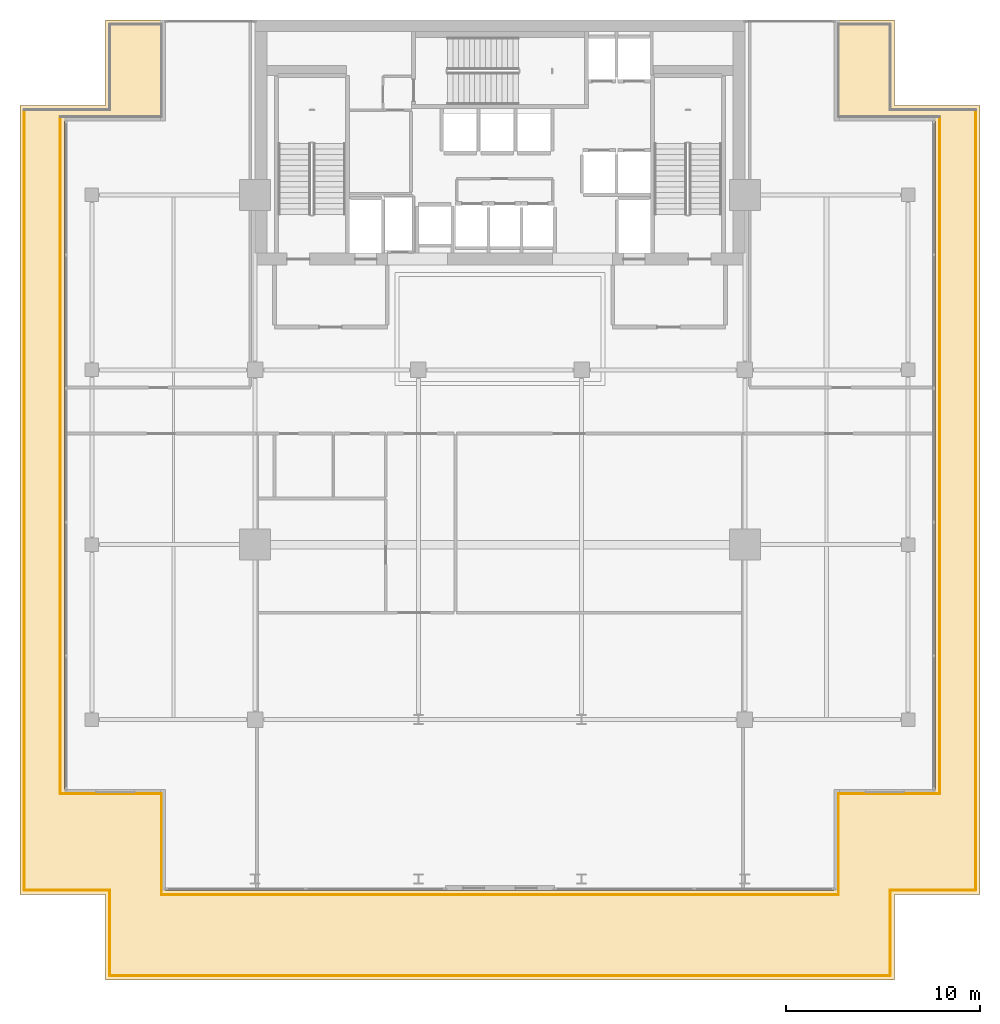
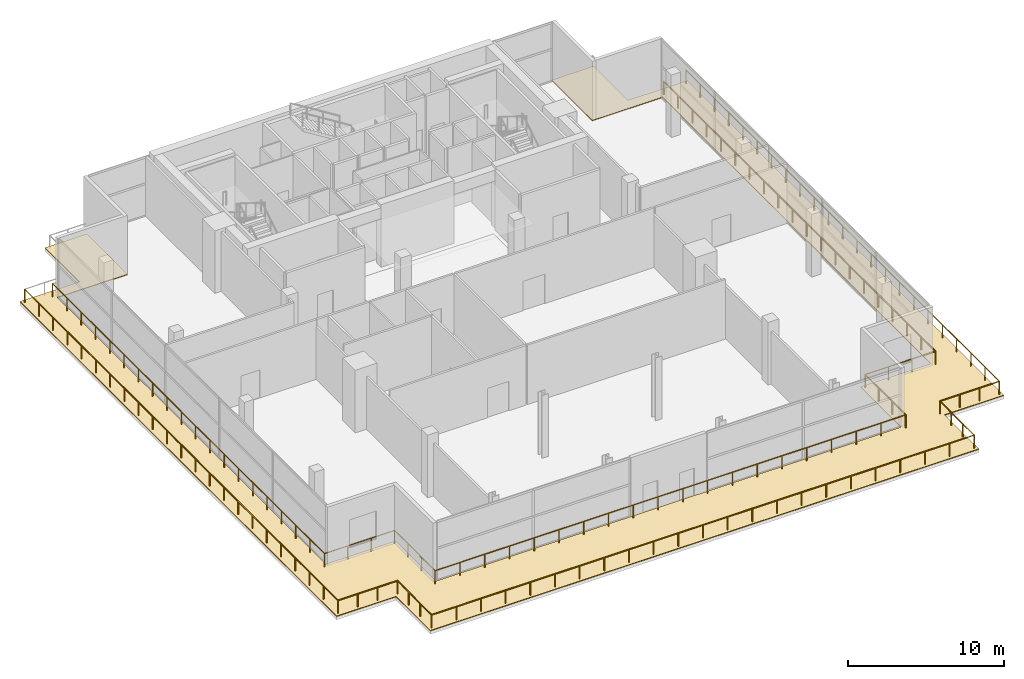
# One storey, part 25 of 28: 14 railings, 1 covering.
"""IFC4 building model written with IfcOpenShell, lengths in metres."""

from ifc_helpers import new_model, si_unit, direction, frame, origin, origin_2d, place, context, subcontext, project, spatial, polyline, circle, outline, extrude, material, layer, layer_set, type_object, element, save


model = new_model("IFC4")

# Units and contexts
model_context = context("Model", 3, precision=1e-05, world=origin(), true_north=direction((0.0, 1.0)))
body_context = subcontext(model_context, "Body", "Model", "MODEL_VIEW")
ifc_project = project(units=[si_unit("LENGTHUNIT", "METRE"), si_unit("AREAUNIT", "SQUARE_METRE"), si_unit("VOLUMEUNIT", "CUBIC_METRE"), si_unit("PLANEANGLEUNIT", "RADIAN"), si_unit("MASSUNIT", "GRAM", prefix="KILO")], contexts=[model_context])

# Site, building, storey
site_placement = place(None, origin())
site = spatial("IfcSite", under=ifc_project, at=site_placement, CompositionType="ELEMENT")
building_placement = place(site_placement, origin())
building = spatial("IfcBuilding", under=site, at=building_placement, Name="Maruvema Waterfront Hotel and Observation Tower", CompositionType="ELEMENT")
storey_placement = place(building_placement, frame((0.0, 0.0, 234.5)))
storey = spatial("IfcBuildingStorey", under=building, at=storey_placement, Name="L57", CompositionType="ELEMENT", Elevation=234.5)

# Covering
ifc_material_1 = material(Name="SBS modified bitumen waterproofing with granite ballast", Category="masonry")
ifc_layer = layer(ifc_material_1, 0.090087890625, Name="Elastomeric Waterproof Roof Membrane and Granite Ballast 90 mm")
ifc_layer_set = layer_set([ifc_layer], Name="SBS modified bitumen waterproofing with granite ballast")
covering_type = type_object("IfcCoveringType", Name="Elastomeric Waterproof Roof Membrane and Granite Ballast 90 mm", PredefinedType="ROOFING", material=ifc_layer_set)
covering_placement = place(storey_placement, origin())
element("IfcCovering", 1, at=covering_placement, inside=storey, type_object=covering_type, Name="L57 Setback Terrace Waterproofing and Pavers 1", PredefinedType="ROOFING", context=body_context, shape_type="SweptSolid", body=[
    extrude(outline(polyline([(58.10009765625, 54.0), (58.10009765625, 49.60009765625), (62.5, 49.60009765625), (62.5, 9.0), (58.10009765625, 9.0), (58.10009765625, 4.60009765625), (17.5, 4.60009765625), (17.5, 9.0), (13.10009765625, 9.0), (13.10009765625, 49.60009765625), (17.5, 49.60009765625), (17.5, 54.0), (20.60009765625, 54.0), (20.60009765625, 48.800048828125), (15.39990234375, 48.800048828125), (15.39990234375, 14.39990234375), (20.60009765625, 14.39990234375), (20.60009765625, 9.199951171875), (55.0, 9.199951171875), (55.0, 14.39990234375), (60.199951171875, 14.39990234375), (60.199951171875, 48.800048828125), (55.0, 48.800048828125), (55.0, 54.0), (58.10009765625, 54.0)])), origin(), (0.0, 0.0, 1.0), 0.06005859375),
])

# Railings
ifc_material_2 = material(Name="Brushed stainless steel Grade 316", Category="steel")
railing_type = type_object("IfcRailingType", Name="Ramp and Terrace Guard Balustrade 1100 mm", PredefinedType="BALUSTRADE", material=ifc_material_2)
railing_1_placement = place(storey_placement, frame((62.280029296875, 49.3798828125, 0.0)))
element("IfcRailing", 2, at=railing_1_placement, inside=storey, type_object=railing_type, Name="L57 Perimeter Safety Balustrade 3", PredefinedType="BALUSTRADE", context=body_context, shape_type="SweptSolid", body=[
    extrude(circle(Radius=0.02392578125, at=origin_2d()), frame((0.0, 0.0, 1.076171875), z_axis=(0.0, -1.0, 0.0), x_axis=(1.0, 0.0, 0.0)), (0.0, 0.0, 1.0), 40.159912109375),
    extrude(circle(Radius=0.02099609375, at=origin_2d()), origin(), (0.0, 0.0, 1.0), 1.052001953125),
    extrude(circle(Radius=0.02099609375, at=origin_2d()), frame((0.0, -1.825439453125, 0.0)), (0.0, 0.0, 1.0), 1.052001953125),
    extrude(circle(Radius=0.02099609375, at=origin_2d()), frame((0.0, -3.65087890625, 0.0)), (0.0, 0.0, 1.0), 1.052001953125),
    extrude(circle(Radius=0.02099609375, at=origin_2d()), frame((0.0, -5.476318359375, 0.0)), (0.0, 0.0, 1.0), 1.052001953125),
    extrude(circle(Radius=0.02099609375, at=origin_2d()), frame((0.0, -7.3017578125, 0.0)), (0.0, 0.0, 1.0), 1.052001953125),
    extrude(circle(Radius=0.02099609375, at=origin_2d()), frame((0.0, -9.127197265625, 0.0)), (0.0, 0.0, 1.0), 1.052001953125),
    extrude(circle(Radius=0.02099609375, at=origin_2d()), frame((0.0, -10.95263671875, 0.0)), (0.0, 0.0, 1.0), 1.052001953125),
    extrude(circle(Radius=0.02099609375, at=origin_2d()), frame((0.0, -12.778076171875, 0.0)), (0.0, 0.0, 1.0), 1.052001953125),
    extrude(circle(Radius=0.02099609375, at=origin_2d()), frame((0.0, -14.603515625, 0.0)), (0.0, 0.0, 1.0), 1.052001953125),
    extrude(circle(Radius=0.02099609375, at=origin_2d()), frame((0.0, -16.428955078125, 0.0)), (0.0, 0.0, 1.0), 1.052001953125),
    extrude(circle(Radius=0.02099609375, at=origin_2d()), frame((0.0, -18.25439453125, 0.0)), (0.0, 0.0, 1.0), 1.052001953125),
    extrude(circle(Radius=0.02099609375, at=origin_2d()), frame((0.0, -20.080078125, 0.0)), (0.0, 0.0, 1.0), 1.052001953125),
    extrude(circle(Radius=0.02099609375, at=origin_2d()), frame((0.0, -21.905517578125, 0.0)), (0.0, 0.0, 1.0), 1.052001953125),
    extrude(circle(Radius=0.02099609375, at=origin_2d()), frame((0.0, -23.73095703125, 0.0)), (0.0, 0.0, 1.0), 1.052001953125),
    extrude(circle(Radius=0.02099609375, at=origin_2d()), frame((0.0, -25.556396484375, 0.0)), (0.0, 0.0, 1.0), 1.052001953125),
    extrude(circle(Radius=0.02099609375, at=origin_2d()), frame((0.0, -27.3818359375, 0.0)), (0.0, 0.0, 1.0), 1.052001953125),
    extrude(circle(Radius=0.02099609375, at=origin_2d()), frame((0.0, -29.207275390625, 0.0)), (0.0, 0.0, 1.0), 1.052001953125),
    extrude(circle(Radius=0.02099609375, at=origin_2d()), frame((0.0, -31.03271484375, 0.0)), (0.0, 0.0, 1.0), 1.052001953125),
    extrude(circle(Radius=0.02099609375, at=origin_2d()), frame((0.0, -32.858154296875, 0.0)), (0.0, 0.0, 1.0), 1.052001953125),
    extrude(circle(Radius=0.02099609375, at=origin_2d()), frame((0.0, -34.68359375, 0.0)), (0.0, 0.0, 1.0), 1.052001953125),
    extrude(circle(Radius=0.02099609375, at=origin_2d()), frame((0.0, -36.509033203125, 0.0)), (0.0, 0.0, 1.0), 1.052001953125),
    extrude(circle(Radius=0.02099609375, at=origin_2d()), frame((0.0, -38.33447265625, 0.0)), (0.0, 0.0, 1.0), 1.052001953125),
    extrude(circle(Radius=0.02099609375, at=origin_2d()), frame((0.0, -40.159912109375, 0.0)), (0.0, 0.0, 1.0), 1.052001953125),
])
railing_2_placement = place(storey_placement, frame((62.280029296875, 9.219970703125, 0.0)))
element("IfcRailing", 3, at=railing_2_placement, inside=storey, type_object=railing_type, Name="L57 Perimeter Safety Balustrade 4", PredefinedType="BALUSTRADE", context=body_context, shape_type="SweptSolid", body=[
    extrude(circle(Radius=0.02392578125, at=origin_2d()), frame((0.0, 0.0, 1.076171875), z_axis=(-1.0, 0.0, 0.0), x_axis=(0.0, -1.0, 0.0)), (0.0, 0.0, 1.0), 4.400146484375),
    extrude(circle(Radius=0.02099609375, at=origin_2d()), origin(), (0.0, 0.0, 1.0), 1.052001953125),
    extrude(circle(Radius=0.02099609375, at=origin_2d()), frame((-1.466796875, 0.0, 0.0)), (0.0, 0.0, 1.0), 1.052001953125),
    extrude(circle(Radius=0.02099609375, at=origin_2d()), frame((-2.933349609375, 0.0, 0.0)), (0.0, 0.0, 1.0), 1.052001953125),
    extrude(circle(Radius=0.02099609375, at=origin_2d()), frame((-4.400146484375, 0.0, 0.0)), (0.0, 0.0, 1.0), 1.052001953125),
])
railing_3_placement = place(storey_placement, frame((57.8798828125, 9.219970703125, 0.0)))
element("IfcRailing", 4, at=railing_3_placement, inside=storey, type_object=railing_type, Name="L57 Perimeter Safety Balustrade 5", PredefinedType="BALUSTRADE", context=body_context, shape_type="SweptSolid", body=[
    extrude(circle(Radius=0.02392578125, at=origin_2d()), frame((0.0, 0.0, 1.076171875), z_axis=(0.0, -1.0, 0.0), x_axis=(1.0, 0.0, 0.0)), (0.0, 0.0, 1.0), 4.39990234375),
    extrude(circle(Radius=0.02099609375, at=origin_2d()), origin(), (0.0, 0.0, 1.0), 1.052001953125),
    extrude(circle(Radius=0.02099609375, at=origin_2d()), frame((0.0, -1.466552734375, 0.0)), (0.0, 0.0, 1.0), 1.052001953125),
    extrude(circle(Radius=0.02099609375, at=origin_2d()), frame((0.0, -2.933349609375, 0.0)), (0.0, 0.0, 1.0), 1.052001953125),
    extrude(circle(Radius=0.02099609375, at=origin_2d()), frame((0.0, -4.39990234375, 0.0)), (0.0, 0.0, 1.0), 1.052001953125),
])
railing_4_placement = place(storey_placement, frame((57.8798828125, 4.820068359375, 0.0)))
element("IfcRailing", 5, at=railing_4_placement, inside=storey, type_object=railing_type, Name="L57 Perimeter Safety Balustrade 6", PredefinedType="BALUSTRADE", context=body_context, shape_type="SweptSolid", body=[
    extrude(circle(Radius=0.02392578125, at=origin_2d()), frame((0.0, 0.0, 1.076171875), z_axis=(-1.0, 0.0, 0.0), x_axis=(0.0, -1.0, 0.0)), (0.0, 0.0, 1.0), 40.159912109375),
    extrude(circle(Radius=0.02099609375, at=origin_2d()), origin(), (0.0, 0.0, 1.0), 1.052001953125),
    extrude(circle(Radius=0.02099609375, at=origin_2d()), frame((-1.825439453125, 0.0, 0.0)), (0.0, 0.0, 1.0), 1.052001953125),
    extrude(circle(Radius=0.02099609375, at=origin_2d()), frame((-3.65087890625, 0.0, 0.0)), (0.0, 0.0, 1.0), 1.052001953125),
    extrude(circle(Radius=0.02099609375, at=origin_2d()), frame((-5.476318359375, 0.0, 0.0)), (0.0, 0.0, 1.0), 1.052001953125),
    extrude(circle(Radius=0.02099609375, at=origin_2d()), frame((-7.3017578125, 0.0, 0.0)), (0.0, 0.0, 1.0), 1.052001953125),
    extrude(circle(Radius=0.02099609375, at=origin_2d()), frame((-9.127197265625, 0.0, 0.0)), (0.0, 0.0, 1.0), 1.052001953125),
    extrude(circle(Radius=0.02099609375, at=origin_2d()), frame((-10.95263671875, 0.0, 0.0)), (0.0, 0.0, 1.0), 1.052001953125),
    extrude(circle(Radius=0.02099609375, at=origin_2d()), frame((-12.778076171875, 0.0, 0.0)), (0.0, 0.0, 1.0), 1.052001953125),
    extrude(circle(Radius=0.02099609375, at=origin_2d()), frame((-14.603515625, 0.0, 0.0)), (0.0, 0.0, 1.0), 1.052001953125),
    extrude(circle(Radius=0.02099609375, at=origin_2d()), frame((-16.428955078125, 0.0, 0.0)), (0.0, 0.0, 1.0), 1.052001953125),
    extrude(circle(Radius=0.02099609375, at=origin_2d()), frame((-18.25439453125, 0.0, 0.0)), (0.0, 0.0, 1.0), 1.052001953125),
    extrude(circle(Radius=0.02099609375, at=origin_2d()), frame((-20.080078125, 0.0, 0.0)), (0.0, 0.0, 1.0), 1.052001953125),
    extrude(circle(Radius=0.02099609375, at=origin_2d()), frame((-21.905517578125, 0.0, 0.0)), (0.0, 0.0, 1.0), 1.052001953125),
    extrude(circle(Radius=0.02099609375, at=origin_2d()), frame((-23.73095703125, 0.0, 0.0)), (0.0, 0.0, 1.0), 1.052001953125),
    extrude(circle(Radius=0.02099609375, at=origin_2d()), frame((-25.556396484375, 0.0, 0.0)), (0.0, 0.0, 1.0), 1.052001953125),
    extrude(circle(Radius=0.02099609375, at=origin_2d()), frame((-27.3818359375, 0.0, 0.0)), (0.0, 0.0, 1.0), 1.052001953125),
    extrude(circle(Radius=0.02099609375, at=origin_2d()), frame((-29.207275390625, 0.0, 0.0)), (0.0, 0.0, 1.0), 1.052001953125),
    extrude(circle(Radius=0.02099609375, at=origin_2d()), frame((-31.03271484375, 0.0, 0.0)), (0.0, 0.0, 1.0), 1.052001953125),
    extrude(circle(Radius=0.02099609375, at=origin_2d()), frame((-32.858154296875, 0.0, 0.0)), (0.0, 0.0, 1.0), 1.052001953125),
    extrude(circle(Radius=0.02099609375, at=origin_2d()), frame((-34.68359375, 0.0, 0.0)), (0.0, 0.0, 1.0), 1.052001953125),
    extrude(circle(Radius=0.02099609375, at=origin_2d()), frame((-36.509033203125, 0.0, 0.0)), (0.0, 0.0, 1.0), 1.052001953125),
    extrude(circle(Radius=0.02099609375, at=origin_2d()), frame((-38.33447265625, 0.0, 0.0)), (0.0, 0.0, 1.0), 1.052001953125),
    extrude(circle(Radius=0.02099609375, at=origin_2d()), frame((-40.159912109375, 0.0, 0.0)), (0.0, 0.0, 1.0), 1.052001953125),
])
railing_5_placement = place(storey_placement, frame((17.719970703125, 4.820068359375, 0.0)))
element("IfcRailing", 6, at=railing_5_placement, inside=storey, type_object=railing_type, Name="L57 Perimeter Safety Balustrade 7", PredefinedType="BALUSTRADE", context=body_context, shape_type="SweptSolid", body=[
    extrude(circle(Radius=0.02392578125, at=origin_2d()), frame((0.0, 0.0, 1.076171875), z_axis=(0.0, 1.0, 0.0), x_axis=(-1.0, 0.0, 0.0)), (0.0, 0.0, 1.0), 4.39990234375),
    extrude(circle(Radius=0.02099609375, at=origin_2d()), origin(), (0.0, 0.0, 1.0), 1.052001953125),
    extrude(circle(Radius=0.02099609375, at=origin_2d()), frame((0.0, 1.466552734375, 0.0)), (0.0, 0.0, 1.0), 1.052001953125),
    extrude(circle(Radius=0.02099609375, at=origin_2d()), frame((0.0, 2.933349609375, 0.0)), (0.0, 0.0, 1.0), 1.052001953125),
    extrude(circle(Radius=0.02099609375, at=origin_2d()), frame((0.0, 4.39990234375, 0.0)), (0.0, 0.0, 1.0), 1.052001953125),
])
railing_6_placement = place(storey_placement, frame((17.719970703125, 9.219970703125, 0.0)))
element("IfcRailing", 7, at=railing_6_placement, inside=storey, type_object=railing_type, Name="L57 Perimeter Safety Balustrade 8", PredefinedType="BALUSTRADE", context=body_context, shape_type="SweptSolid", body=[
    extrude(circle(Radius=0.02392578125, at=origin_2d()), frame((0.0, 0.0, 1.076171875), z_axis=(-1.0, 0.0, 0.0), x_axis=(0.0, -1.0, 0.0)), (0.0, 0.0, 1.0), 4.39990234375),
    extrude(circle(Radius=0.02099609375, at=origin_2d()), origin(), (0.0, 0.0, 1.0), 1.052001953125),
    extrude(circle(Radius=0.02099609375, at=origin_2d()), frame((-1.466552734375, 0.0, 0.0)), (0.0, 0.0, 1.0), 1.052001953125),
    extrude(circle(Radius=0.02099609375, at=origin_2d()), frame((-2.933349609375, 0.0, 0.0)), (0.0, 0.0, 1.0), 1.052001953125),
    extrude(circle(Radius=0.02099609375, at=origin_2d()), frame((-4.39990234375, 0.0, 0.0)), (0.0, 0.0, 1.0), 1.052001953125),
])
railing_7_placement = place(storey_placement, frame((13.320068359375, 9.219970703125, 0.0)))
element("IfcRailing", 8, at=railing_7_placement, inside=storey, type_object=railing_type, Name="L57 Perimeter Safety Balustrade 9", PredefinedType="BALUSTRADE", context=body_context, shape_type="SweptSolid", body=[
    extrude(circle(Radius=0.02392578125, at=origin_2d()), frame((0.0, 0.0, 1.076171875), z_axis=(0.0, 1.0, 0.0), x_axis=(-1.0, 0.0, 0.0)), (0.0, 0.0, 1.0), 40.159912109375),
    extrude(circle(Radius=0.02099609375, at=origin_2d()), origin(), (0.0, 0.0, 1.0), 1.052001953125),
    extrude(circle(Radius=0.02099609375, at=origin_2d()), frame((0.0, 1.825439453125, 0.0)), (0.0, 0.0, 1.0), 1.052001953125),
    extrude(circle(Radius=0.02099609375, at=origin_2d()), frame((0.0, 3.65087890625, 0.0)), (0.0, 0.0, 1.0), 1.052001953125),
    extrude(circle(Radius=0.02099609375, at=origin_2d()), frame((0.0, 5.476318359375, 0.0)), (0.0, 0.0, 1.0), 1.052001953125),
    extrude(circle(Radius=0.02099609375, at=origin_2d()), frame((0.0, 7.3017578125, 0.0)), (0.0, 0.0, 1.0), 1.052001953125),
    extrude(circle(Radius=0.02099609375, at=origin_2d()), frame((0.0, 9.127197265625, 0.0)), (0.0, 0.0, 1.0), 1.052001953125),
    extrude(circle(Radius=0.02099609375, at=origin_2d()), frame((0.0, 10.95263671875, 0.0)), (0.0, 0.0, 1.0), 1.052001953125),
    extrude(circle(Radius=0.02099609375, at=origin_2d()), frame((0.0, 12.778076171875, 0.0)), (0.0, 0.0, 1.0), 1.052001953125),
    extrude(circle(Radius=0.02099609375, at=origin_2d()), frame((0.0, 14.603515625, 0.0)), (0.0, 0.0, 1.0), 1.052001953125),
    extrude(circle(Radius=0.02099609375, at=origin_2d()), frame((0.0, 16.428955078125, 0.0)), (0.0, 0.0, 1.0), 1.052001953125),
    extrude(circle(Radius=0.02099609375, at=origin_2d()), frame((0.0, 18.25439453125, 0.0)), (0.0, 0.0, 1.0), 1.052001953125),
    extrude(circle(Radius=0.02099609375, at=origin_2d()), frame((0.0, 20.080078125, 0.0)), (0.0, 0.0, 1.0), 1.052001953125),
    extrude(circle(Radius=0.02099609375, at=origin_2d()), frame((0.0, 21.905517578125, 0.0)), (0.0, 0.0, 1.0), 1.052001953125),
    extrude(circle(Radius=0.02099609375, at=origin_2d()), frame((0.0, 23.73095703125, 0.0)), (0.0, 0.0, 1.0), 1.052001953125),
    extrude(circle(Radius=0.02099609375, at=origin_2d()), frame((0.0, 25.556396484375, 0.0)), (0.0, 0.0, 1.0), 1.052001953125),
    extrude(circle(Radius=0.02099609375, at=origin_2d()), frame((0.0, 27.3818359375, 0.0)), (0.0, 0.0, 1.0), 1.052001953125),
    extrude(circle(Radius=0.02099609375, at=origin_2d()), frame((0.0, 29.207275390625, 0.0)), (0.0, 0.0, 1.0), 1.052001953125),
    extrude(circle(Radius=0.02099609375, at=origin_2d()), frame((0.0, 31.03271484375, 0.0)), (0.0, 0.0, 1.0), 1.052001953125),
    extrude(circle(Radius=0.02099609375, at=origin_2d()), frame((0.0, 32.858154296875, 0.0)), (0.0, 0.0, 1.0), 1.052001953125),
    extrude(circle(Radius=0.02099609375, at=origin_2d()), frame((0.0, 34.68359375, 0.0)), (0.0, 0.0, 1.0), 1.052001953125),
    extrude(circle(Radius=0.02099609375, at=origin_2d()), frame((0.0, 36.509033203125, 0.0)), (0.0, 0.0, 1.0), 1.052001953125),
    extrude(circle(Radius=0.02099609375, at=origin_2d()), frame((0.0, 38.33447265625, 0.0)), (0.0, 0.0, 1.0), 1.052001953125),
    extrude(circle(Radius=0.02099609375, at=origin_2d()), frame((0.0, 40.159912109375, 0.0)), (0.0, 0.0, 1.0), 1.052001953125),
])
railing_8_placement = place(storey_placement, frame((15.179931640625, 49.02001953125, 0.0)))
element("IfcRailing", 9, at=railing_8_placement, inside=storey, type_object=railing_type, Name="L57 Perimeter Safety Balustrade 15", PredefinedType="BALUSTRADE", context=body_context, shape_type="SweptSolid", body=[
    extrude(circle(Radius=0.02392578125, at=origin_2d()), frame((0.0, 0.0, 1.076171875), z_axis=(0.0, -1.0, 0.0), x_axis=(1.0, 0.0, 0.0)), (0.0, 0.0, 1.0), 34.840087890625),
    extrude(circle(Radius=0.02099609375, at=origin_2d()), origin(), (0.0, 0.0, 1.0), 1.052001953125),
    extrude(circle(Radius=0.02099609375, at=origin_2d()), frame((0.0, -1.833740234375, 0.0)), (0.0, 0.0, 1.0), 1.052001953125),
    extrude(circle(Radius=0.02099609375, at=origin_2d()), frame((0.0, -3.66748046875, 0.0)), (0.0, 0.0, 1.0), 1.052001953125),
    extrude(circle(Radius=0.02099609375, at=origin_2d()), frame((0.0, -5.5009765625, 0.0)), (0.0, 0.0, 1.0), 1.052001953125),
    extrude(circle(Radius=0.02099609375, at=origin_2d()), frame((0.0, -7.334716796875, 0.0)), (0.0, 0.0, 1.0), 1.052001953125),
    extrude(circle(Radius=0.02099609375, at=origin_2d()), frame((0.0, -9.16845703125, 0.0)), (0.0, 0.0, 1.0), 1.052001953125),
    extrude(circle(Radius=0.02099609375, at=origin_2d()), frame((0.0, -11.002197265625, 0.0)), (0.0, 0.0, 1.0), 1.052001953125),
    extrude(circle(Radius=0.02099609375, at=origin_2d()), frame((0.0, -12.8359375, 0.0)), (0.0, 0.0, 1.0), 1.052001953125),
    extrude(circle(Radius=0.02099609375, at=origin_2d()), frame((0.0, -14.66943359375, 0.0)), (0.0, 0.0, 1.0), 1.052001953125),
    extrude(circle(Radius=0.02099609375, at=origin_2d()), frame((0.0, -16.503173828125, 0.0)), (0.0, 0.0, 1.0), 1.052001953125),
    extrude(circle(Radius=0.02099609375, at=origin_2d()), frame((0.0, -18.3369140625, 0.0)), (0.0, 0.0, 1.0), 1.052001953125),
    extrude(circle(Radius=0.02099609375, at=origin_2d()), frame((0.0, -20.170654296875, 0.0)), (0.0, 0.0, 1.0), 1.052001953125),
    extrude(circle(Radius=0.02099609375, at=origin_2d()), frame((0.0, -22.004150390625, 0.0)), (0.0, 0.0, 1.0), 1.052001953125),
    extrude(circle(Radius=0.02099609375, at=origin_2d()), frame((0.0, -23.837890625, 0.0)), (0.0, 0.0, 1.0), 1.052001953125),
    extrude(circle(Radius=0.02099609375, at=origin_2d()), frame((0.0, -25.671630859375, 0.0)), (0.0, 0.0, 1.0), 1.052001953125),
    extrude(circle(Radius=0.02099609375, at=origin_2d()), frame((0.0, -27.50537109375, 0.0)), (0.0, 0.0, 1.0), 1.052001953125),
    extrude(circle(Radius=0.02099609375, at=origin_2d()), frame((0.0, -29.339111328125, 0.0)), (0.0, 0.0, 1.0), 1.052001953125),
    extrude(circle(Radius=0.02099609375, at=origin_2d()), frame((0.0, -31.172607421875, 0.0)), (0.0, 0.0, 1.0), 1.052001953125),
    extrude(circle(Radius=0.02099609375, at=origin_2d()), frame((0.0, -33.00634765625, 0.0)), (0.0, 0.0, 1.0), 1.052001953125),
    extrude(circle(Radius=0.02099609375, at=origin_2d()), frame((0.0, -34.840087890625, 0.0)), (0.0, 0.0, 1.0), 1.052001953125),
])
railing_9_placement = place(storey_placement, frame((15.179931640625, 14.179931640625, 0.0)))
element("IfcRailing", 10, at=railing_9_placement, inside=storey, type_object=railing_type, Name="L57 Perimeter Safety Balustrade 16", PredefinedType="BALUSTRADE", context=body_context, shape_type="SweptSolid", body=[
    extrude(circle(Radius=0.02392578125, at=origin_2d()), frame((0.0, 0.0, 1.076171875), z_axis=(1.0, 0.0, 0.0), x_axis=(0.0, 1.0, 0.0)), (0.0, 0.0, 1.0), 5.199951171875),
    extrude(circle(Radius=0.02099609375, at=origin_2d()), origin(), (0.0, 0.0, 1.0), 1.052001953125),
    extrude(circle(Radius=0.02099609375, at=origin_2d()), frame((1.7333984375, 0.0, 0.0)), (0.0, 0.0, 1.0), 1.052001953125),
    extrude(circle(Radius=0.02099609375, at=origin_2d()), frame((3.466552734375, 0.0, 0.0)), (0.0, 0.0, 1.0), 1.052001953125),
    extrude(circle(Radius=0.02099609375, at=origin_2d()), frame((5.199951171875, 0.0, 0.0)), (0.0, 0.0, 1.0), 1.052001953125),
])
railing_10_placement = place(storey_placement, frame((20.3798828125, 14.179931640625, 0.0)))
element("IfcRailing", 11, at=railing_10_placement, inside=storey, type_object=railing_type, Name="L57 Perimeter Safety Balustrade 17", PredefinedType="BALUSTRADE", context=body_context, shape_type="SweptSolid", body=[
    extrude(circle(Radius=0.02392578125, at=origin_2d()), frame((0.0, 0.0, 1.076171875), z_axis=(0.0, -1.0, 0.0), x_axis=(1.0, 0.0, 0.0)), (0.0, 0.0, 1.0), 5.199951171875),
    extrude(circle(Radius=0.02099609375, at=origin_2d()), origin(), (0.0, 0.0, 1.0), 1.052001953125),
    extrude(circle(Radius=0.02099609375, at=origin_2d()), frame((0.0, -1.7333984375, 0.0)), (0.0, 0.0, 1.0), 1.052001953125),
    extrude(circle(Radius=0.02099609375, at=origin_2d()), frame((0.0, -3.466552734375, 0.0)), (0.0, 0.0, 1.0), 1.052001953125),
    extrude(circle(Radius=0.02099609375, at=origin_2d()), frame((0.0, -5.199951171875, 0.0)), (0.0, 0.0, 1.0), 1.052001953125),
])
railing_11_placement = place(storey_placement, frame((20.3798828125, 8.97998046875, 0.0)))
element("IfcRailing", 12, at=railing_11_placement, inside=storey, type_object=railing_type, Name="L57 Perimeter Safety Balustrade 18", PredefinedType="BALUSTRADE", context=body_context, shape_type="SweptSolid", body=[
    extrude(circle(Radius=0.02392578125, at=origin_2d()), frame((0.0, 0.0, 1.076171875), z_axis=(1.0, 0.0, 0.0), x_axis=(0.0, 1.0, 0.0)), (0.0, 0.0, 1.0), 34.840087890625),
    extrude(circle(Radius=0.02099609375, at=origin_2d()), origin(), (0.0, 0.0, 1.0), 1.052001953125),
    extrude(circle(Radius=0.02099609375, at=origin_2d()), frame((1.833740234375, 0.0, 0.0)), (0.0, 0.0, 1.0), 1.052001953125),
    extrude(circle(Radius=0.02099609375, at=origin_2d()), frame((3.66748046875, 0.0, 0.0)), (0.0, 0.0, 1.0), 1.052001953125),
    extrude(circle(Radius=0.02099609375, at=origin_2d()), frame((5.5009765625, 0.0, 0.0)), (0.0, 0.0, 1.0), 1.052001953125),
    extrude(circle(Radius=0.02099609375, at=origin_2d()), frame((7.334716796875, 0.0, 0.0)), (0.0, 0.0, 1.0), 1.052001953125),
    extrude(circle(Radius=0.02099609375, at=origin_2d()), frame((9.16845703125, 0.0, 0.0)), (0.0, 0.0, 1.0), 1.052001953125),
    extrude(circle(Radius=0.02099609375, at=origin_2d()), frame((11.002197265625, 0.0, 0.0)), (0.0, 0.0, 1.0), 1.052001953125),
    extrude(circle(Radius=0.02099609375, at=origin_2d()), frame((12.8359375, 0.0, 0.0)), (0.0, 0.0, 1.0), 1.052001953125),
    extrude(circle(Radius=0.02099609375, at=origin_2d()), frame((14.66943359375, 0.0, 0.0)), (0.0, 0.0, 1.0), 1.052001953125),
    extrude(circle(Radius=0.02099609375, at=origin_2d()), frame((16.503173828125, 0.0, 0.0)), (0.0, 0.0, 1.0), 1.052001953125),
    extrude(circle(Radius=0.02099609375, at=origin_2d()), frame((18.3369140625, 0.0, 0.0)), (0.0, 0.0, 1.0), 1.052001953125),
    extrude(circle(Radius=0.02099609375, at=origin_2d()), frame((20.170654296875, 0.0, 0.0)), (0.0, 0.0, 1.0), 1.052001953125),
    extrude(circle(Radius=0.02099609375, at=origin_2d()), frame((22.004150390625, 0.0, 0.0)), (0.0, 0.0, 1.0), 1.052001953125),
    extrude(circle(Radius=0.02099609375, at=origin_2d()), frame((23.837890625, 0.0, 0.0)), (0.0, 0.0, 1.0), 1.052001953125),
    extrude(circle(Radius=0.02099609375, at=origin_2d()), frame((25.671630859375, 0.0, 0.0)), (0.0, 0.0, 1.0), 1.052001953125),
    extrude(circle(Radius=0.02099609375, at=origin_2d()), frame((27.50537109375, 0.0, 0.0)), (0.0, 0.0, 1.0), 1.052001953125),
    extrude(circle(Radius=0.02099609375, at=origin_2d()), frame((29.339111328125, 0.0, 0.0)), (0.0, 0.0, 1.0), 1.052001953125),
    extrude(circle(Radius=0.02099609375, at=origin_2d()), frame((31.172607421875, 0.0, 0.0)), (0.0, 0.0, 1.0), 1.052001953125),
    extrude(circle(Radius=0.02099609375, at=origin_2d()), frame((33.00634765625, 0.0, 0.0)), (0.0, 0.0, 1.0), 1.052001953125),
    extrude(circle(Radius=0.02099609375, at=origin_2d()), frame((34.840087890625, 0.0, 0.0)), (0.0, 0.0, 1.0), 1.052001953125),
])
railing_12_placement = place(storey_placement, frame((55.219970703125, 8.97998046875, 0.0)))
element("IfcRailing", 13, at=railing_12_placement, inside=storey, type_object=railing_type, Name="L57 Perimeter Safety Balustrade 19", PredefinedType="BALUSTRADE", context=body_context, shape_type="SweptSolid", body=[
    extrude(circle(Radius=0.02392578125, at=origin_2d()), frame((0.0, 0.0, 1.076171875), z_axis=(0.0, 1.0, 0.0), x_axis=(-1.0, 0.0, 0.0)), (0.0, 0.0, 1.0), 5.199951171875),
    extrude(circle(Radius=0.02099609375, at=origin_2d()), origin(), (0.0, 0.0, 1.0), 1.052001953125),
    extrude(circle(Radius=0.02099609375, at=origin_2d()), frame((0.0, 1.7333984375, 0.0)), (0.0, 0.0, 1.0), 1.052001953125),
    extrude(circle(Radius=0.02099609375, at=origin_2d()), frame((0.0, 3.466552734375, 0.0)), (0.0, 0.0, 1.0), 1.052001953125),
    extrude(circle(Radius=0.02099609375, at=origin_2d()), frame((0.0, 5.199951171875, 0.0)), (0.0, 0.0, 1.0), 1.052001953125),
])
railing_13_placement = place(storey_placement, frame((55.219970703125, 14.179931640625, 0.0)))
element("IfcRailing", 14, at=railing_13_placement, inside=storey, type_object=railing_type, Name="L57 Perimeter Safety Balustrade 20", PredefinedType="BALUSTRADE", context=body_context, shape_type="SweptSolid", body=[
    extrude(circle(Radius=0.02392578125, at=origin_2d()), frame((0.0, 0.0, 1.076171875), z_axis=(1.0, 0.0, 0.0), x_axis=(0.0, 1.0, 0.0)), (0.0, 0.0, 1.0), 5.199951171875),
    extrude(circle(Radius=0.02099609375, at=origin_2d()), origin(), (0.0, 0.0, 1.0), 1.052001953125),
    extrude(circle(Radius=0.02099609375, at=origin_2d()), frame((1.7333984375, 0.0, 0.0)), (0.0, 0.0, 1.0), 1.052001953125),
    extrude(circle(Radius=0.02099609375, at=origin_2d()), frame((3.466552734375, 0.0, 0.0)), (0.0, 0.0, 1.0), 1.052001953125),
    extrude(circle(Radius=0.02099609375, at=origin_2d()), frame((5.199951171875, 0.0, 0.0)), (0.0, 0.0, 1.0), 1.052001953125),
])
railing_14_placement = place(storey_placement, frame((60.419921875, 14.179931640625, 0.0)))
element("IfcRailing", 15, at=railing_14_placement, inside=storey, type_object=railing_type, Name="L57 Perimeter Safety Balustrade 21", PredefinedType="BALUSTRADE", context=body_context, shape_type="SweptSolid", body=[
    extrude(circle(Radius=0.02392578125, at=origin_2d()), frame((0.0, 0.0, 1.076171875), z_axis=(0.0, 1.0, 0.0), x_axis=(-1.0, 0.0, 0.0)), (0.0, 0.0, 1.0), 34.840087890625),
    extrude(circle(Radius=0.02099609375, at=origin_2d()), origin(), (0.0, 0.0, 1.0), 1.052001953125),
    extrude(circle(Radius=0.02099609375, at=origin_2d()), frame((0.0, 1.833740234375, 0.0)), (0.0, 0.0, 1.0), 1.052001953125),
    extrude(circle(Radius=0.02099609375, at=origin_2d()), frame((0.0, 3.66748046875, 0.0)), (0.0, 0.0, 1.0), 1.052001953125),
    extrude(circle(Radius=0.02099609375, at=origin_2d()), frame((0.0, 5.5009765625, 0.0)), (0.0, 0.0, 1.0), 1.052001953125),
    extrude(circle(Radius=0.02099609375, at=origin_2d()), frame((0.0, 7.334716796875, 0.0)), (0.0, 0.0, 1.0), 1.052001953125),
    extrude(circle(Radius=0.02099609375, at=origin_2d()), frame((0.0, 9.16845703125, 0.0)), (0.0, 0.0, 1.0), 1.052001953125),
    extrude(circle(Radius=0.02099609375, at=origin_2d()), frame((0.0, 11.002197265625, 0.0)), (0.0, 0.0, 1.0), 1.052001953125),
    extrude(circle(Radius=0.02099609375, at=origin_2d()), frame((0.0, 12.8359375, 0.0)), (0.0, 0.0, 1.0), 1.052001953125),
    extrude(circle(Radius=0.02099609375, at=origin_2d()), frame((0.0, 14.66943359375, 0.0)), (0.0, 0.0, 1.0), 1.052001953125),
    extrude(circle(Radius=0.02099609375, at=origin_2d()), frame((0.0, 16.503173828125, 0.0)), (0.0, 0.0, 1.0), 1.052001953125),
    extrude(circle(Radius=0.02099609375, at=origin_2d()), frame((0.0, 18.3369140625, 0.0)), (0.0, 0.0, 1.0), 1.052001953125),
    extrude(circle(Radius=0.02099609375, at=origin_2d()), frame((0.0, 20.170654296875, 0.0)), (0.0, 0.0, 1.0), 1.052001953125),
    extrude(circle(Radius=0.02099609375, at=origin_2d()), frame((0.0, 22.004150390625, 0.0)), (0.0, 0.0, 1.0), 1.052001953125),
    extrude(circle(Radius=0.02099609375, at=origin_2d()), frame((0.0, 23.837890625, 0.0)), (0.0, 0.0, 1.0), 1.052001953125),
    extrude(circle(Radius=0.02099609375, at=origin_2d()), frame((0.0, 25.671630859375, 0.0)), (0.0, 0.0, 1.0), 1.052001953125),
    extrude(circle(Radius=0.02099609375, at=origin_2d()), frame((0.0, 27.50537109375, 0.0)), (0.0, 0.0, 1.0), 1.052001953125),
    extrude(circle(Radius=0.02099609375, at=origin_2d()), frame((0.0, 29.339111328125, 0.0)), (0.0, 0.0, 1.0), 1.052001953125),
    extrude(circle(Radius=0.02099609375, at=origin_2d()), frame((0.0, 31.172607421875, 0.0)), (0.0, 0.0, 1.0), 1.052001953125),
    extrude(circle(Radius=0.02099609375, at=origin_2d()), frame((0.0, 33.00634765625, 0.0)), (0.0, 0.0, 1.0), 1.052001953125),
    extrude(circle(Radius=0.02099609375, at=origin_2d()), frame((0.0, 34.840087890625, 0.0)), (0.0, 0.0, 1.0), 1.052001953125),
])

save(model, "model.ifc")
